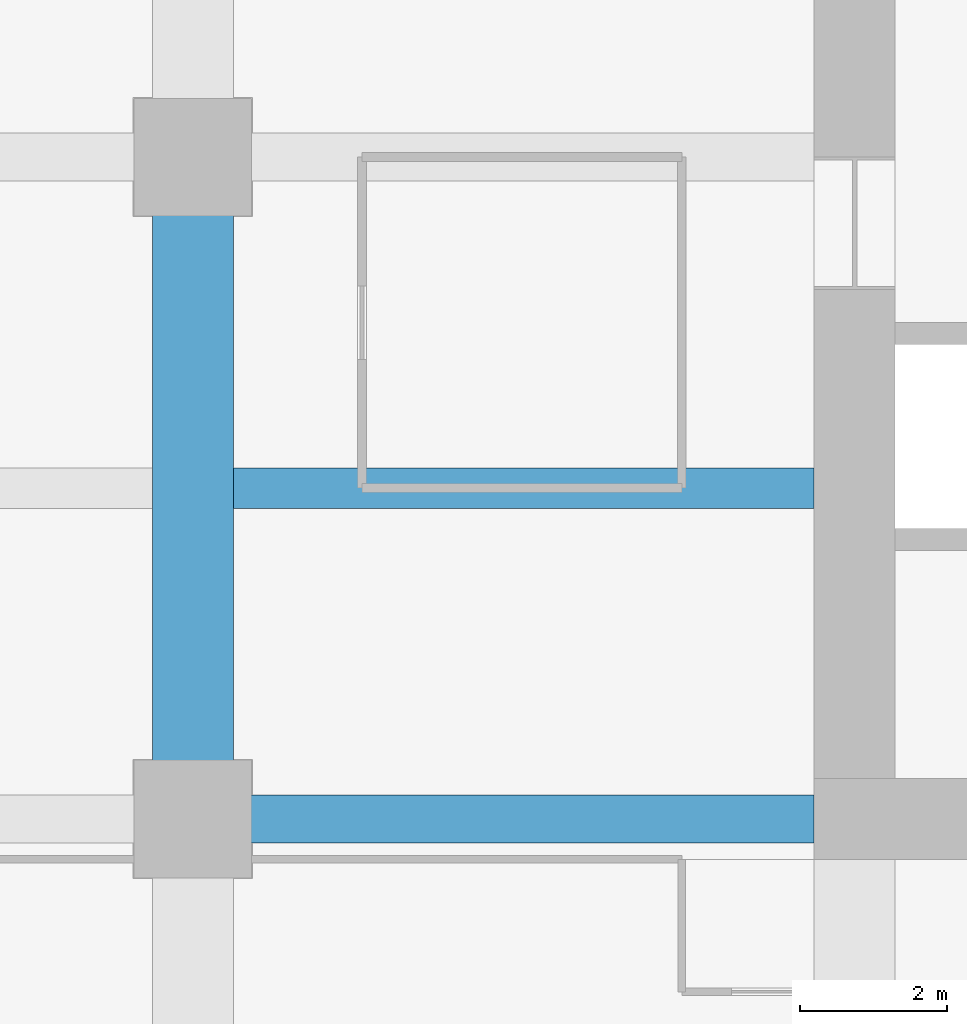
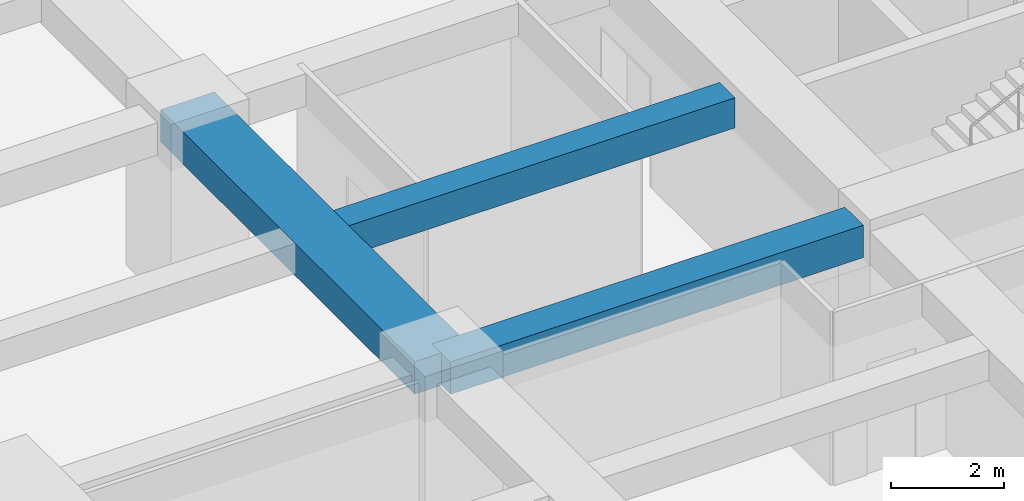
# One storey, part 10 of 34: 3 beams.
"""IFC4 building model written with IfcOpenShell, lengths in metres."""

from ifc_helpers import new_model, si_unit, direction, frame, origin, origin_2d, place, context, subcontext, project, spatial, rectangle, extrude, material, material_profile, profile_set, type_object, element, save


model = new_model("IFC4")

# Units and contexts
model_context = context("Model", 3, precision=1e-05, world=origin(), true_north=direction((0.0, 1.0)))
body_context = subcontext(model_context, "Body", "Model", "MODEL_VIEW")
ifc_project = project(units=[si_unit("LENGTHUNIT", "METRE"), si_unit("AREAUNIT", "SQUARE_METRE"), si_unit("VOLUMEUNIT", "CUBIC_METRE"), si_unit("PLANEANGLEUNIT", "RADIAN"), si_unit("MASSUNIT", "GRAM", prefix="KILO")], contexts=[model_context])

# Site, building, storey
site_placement = place(None, origin())
site = spatial("IfcSite", under=ifc_project, at=site_placement, CompositionType="ELEMENT")
building_placement = place(site_placement, origin())
building = spatial("IfcBuilding", under=site, at=building_placement, Name="Zorevar Civic Tower", CompositionType="ELEMENT")
storey_placement = place(building_placement, frame((0.0, 0.0, 174.199951171875)))
storey = spatial("IfcBuildingStorey", under=building, at=storey_placement, Name="L42", CompositionType="ELEMENT", Elevation=174.199951171875)

# Beams
ifc_material_1 = material(Name="Concrete C50/60", Category="concrete")
ifc_material_profile_1 = material_profile(ifc_material_1, rectangle(XDim=1.10009765625, YDim=0.699951171875, at=origin_2d()), Name="RC 1100x700")
ifc_profile_set_1 = profile_set([ifc_material_profile_1], Name="Concrete C50/60")
beam_type_1 = type_object("IfcBeamType", Name="Beam RC 1100x700", PredefinedType="BEAM", material=ifc_profile_set_1)
beam_1_placement = place(storey_placement, frame((9.0, 18.0, 3.400146484375), z_axis=(0.0, 1.0, 0.0), x_axis=(-1.0, 0.0, 0.0)))
element("IfcBeam", 1, at=beam_1_placement, inside=storey, type_object=beam_type_1, Name="Girder L43", PredefinedType="BEAM", context=body_context, shape_type="SweptSolid", body=[
    extrude(rectangle(XDim=1.10009765625, YDim=0.699951171875, at=origin_2d()), origin(), (0.0, 0.0, 1.0), 9.0),
])
ifc_material_2 = material(Name="Concrete C50/60", Category="concrete")
ifc_material_profile_2 = material_profile(ifc_material_2, rectangle(XDim=0.550048828125, YDim=0.64990234375, at=origin_2d()), Name="RC 550x650")
ifc_profile_set_2 = profile_set([ifc_material_profile_2], Name="Concrete C50/60")
beam_type_2 = type_object("IfcBeamType", Name="Beam RC 550x650", PredefinedType="BEAM", material=ifc_profile_set_2)
beam_2_placement = place(storey_placement, frame((9.550048828125, 22.5, 3.425048828125), z_axis=(1.0, 0.0, 0.0), x_axis=(0.0, 1.0, 0.0)))
element("IfcBeam", 2, at=beam_2_placement, inside=storey, type_object=beam_type_2, Name="Secondary beam L43", PredefinedType="BEAM", context=body_context, shape_type="SweptSolid", body=[
    extrude(rectangle(XDim=0.550048828125, YDim=0.64990234375, at=origin_2d()), origin(), (0.0, 0.0, 1.0), 7.89990234375),
])
ifc_material_3 = material(Name="Concrete C50/60", Category="concrete")
ifc_material_profile_3 = material_profile(ifc_material_3, rectangle(XDim=0.64990234375, YDim=0.699951171875, at=origin_2d()), Name="RC 650x700")
ifc_profile_set_3 = profile_set([ifc_material_profile_3], Name="Concrete C50/60")
beam_type_3 = type_object("IfcBeamType", Name="Beam RC 650x700", PredefinedType="BEAM", material=ifc_profile_set_3)
beam_3_placement = place(storey_placement, frame((9.0, 18.0, 3.400146484375), z_axis=(1.0, 0.0, 0.0), x_axis=(0.0, 1.0, 0.0)))
element("IfcBeam", 3, at=beam_3_placement, inside=storey, type_object=beam_type_3, Name="Girder L43", PredefinedType="BEAM", context=body_context, shape_type="SweptSolid", body=[
    extrude(rectangle(XDim=0.64990234375, YDim=0.699951171875, at=origin_2d()), origin(), (0.0, 0.0, 1.0), 8.449951171875),
])

save(model, "model.ifc")
